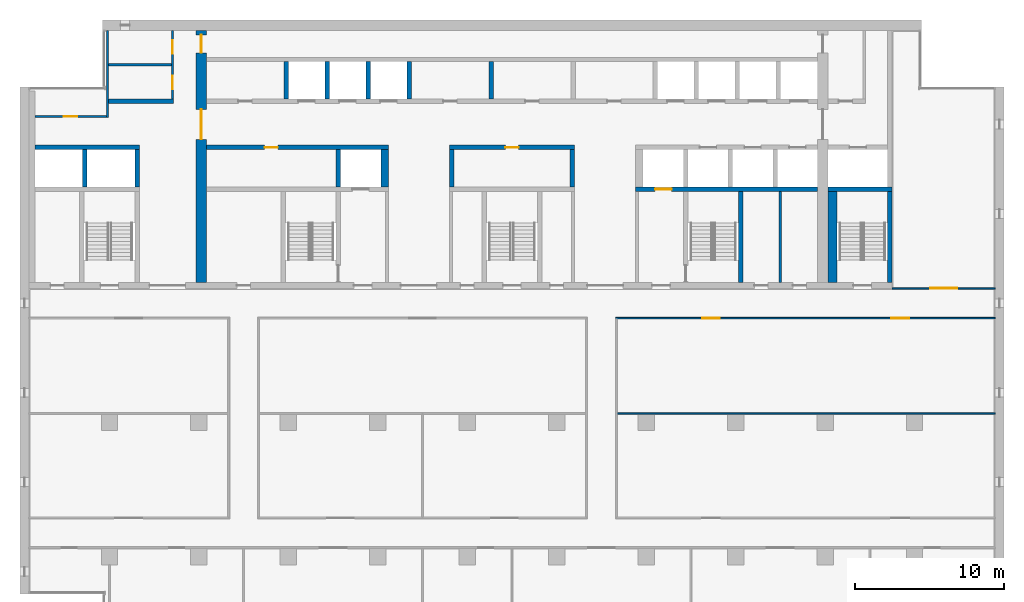
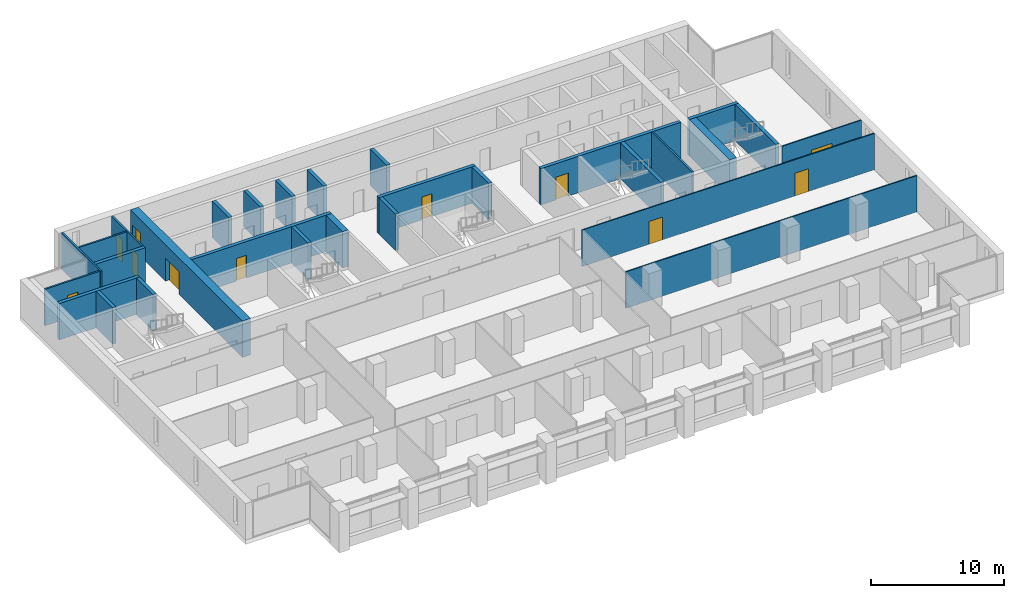
# One storey, part 10 of 17: 29 walls, 11 doors, 11 openings.
"""IFC4 building model written with IfcOpenShell, lengths in metres."""

from ifc_helpers import new_model, si_unit, direction, frame, frame_2d, origin, place, context, subcontext, project, spatial, rectangle, extrude, material, layer, layer_set, type_object, element, fill, save


model = new_model("IFC4")

# Units and contexts
model_context = context("Model", 3, precision=1e-05, world=origin(), true_north=direction((0.0, 1.0)))
body_context = subcontext(model_context, "Body", "Model", "MODEL_VIEW")
ifc_project = project(units=[si_unit("LENGTHUNIT", "METRE"), si_unit("AREAUNIT", "SQUARE_METRE"), si_unit("VOLUMEUNIT", "CUBIC_METRE"), si_unit("PLANEANGLEUNIT", "RADIAN"), si_unit("MASSUNIT", "GRAM", prefix="KILO")], contexts=[model_context])

# Site, building, storey
site_placement = place(None, origin())
site = spatial("IfcSite", under=ifc_project, at=site_placement, CompositionType="ELEMENT")
building_placement = place(site_placement, origin())
building = spatial("IfcBuilding", under=site, at=building_placement, Name="Calvaro Tower", CompositionType="ELEMENT")
storey_placement = place(building_placement, frame((0.0, 0.0, 196.75)))
storey = spatial("IfcBuildingStorey", under=building, at=storey_placement, Name="L49", CompositionType="ELEMENT", Elevation=196.75)

# Walls
ifc_material_1 = material(Name="Blockwork partition", Category="masonry")
ifc_layer_1 = layer(ifc_material_1, 0.14990234375)
ifc_layer_set_1 = layer_set([ifc_layer_1], Name="Blockwork partition")
wall_type_1 = type_object("IfcWallType", Name="Core partition 150 EI 60", PredefinedType="PARTITIONING", material=ifc_layer_set_1)
wall_1_placement = place(storey_placement, frame((57.0, 28.39990234375, 0.0), z_axis=(0.0, 0.0, 1.0), x_axis=(0.0, 1.0, 0.0)))
element("IfcWall", 1, at=wall_1_placement, inside=storey, type_object=wall_type_1, Name="Core partition", PredefinedType="PARTITIONING", context=body_context, shape_type="SweptSolid", body=[
    extrude(rectangle(XDim=6.10009765625, YDim=0.14990234375, at=frame_2d((3.050048828125, 0.0))), origin(), (0.0, 0.0, 1.0), 3.35009765625),
])
wall_2_placement = place(storey_placement, frame((11.949951171875, 43.0, 0.0), z_axis=(0.0, 0.0, 1.0), x_axis=(1.0, 0.0, 0.0)))
element("IfcWall", 2, at=wall_2_placement, inside=storey, type_object=wall_type_1, Name="Core partition", PredefinedType="PARTITIONING", context=body_context, shape_type="SweptSolid", body=[
    extrude(rectangle(XDim=4.199951171875, YDim=0.14990234375, at=frame_2d((2.10009765625, 0.0))), origin(), (0.0, 0.0, 1.0), 3.35009765625),
])

# Wall, openings, doors
ifc_material_2 = material(Name="Blockwork partition", Category="masonry")
ifc_layer_2 = layer(ifc_material_2, 0.14990234375)
ifc_layer_set_2 = layer_set([ifc_layer_2], Name="Blockwork partition")
wall_type_2 = type_object("IfcWallType", Name="Core partition 150 REI 120", PredefinedType="PARTITIONING", material=ifc_layer_set_2)
wall_3_placement = place(storey_placement, frame((16.22509765625, 45.300048828125, 0.0), z_axis=(0.0, 0.0, 1.0), x_axis=(0.0, -1.0, 0.0)))
wall_3 = element("IfcWall", 3, at=wall_3_placement, inside=storey, type_object=wall_type_2, Name="Core partition", PredefinedType="PARTITIONING", context=body_context, shape_type="SweptSolid", body=[
    extrude(rectangle(XDim=4.60009765625, YDim=0.14990234375, at=frame_2d((2.300048828125, 0.0))), origin(), (0.0, 0.0, 1.0), 3.35009765625),
])
opening_1_placement = place(wall_3_placement, frame((3.03759765625, 0.0, 0.0)))
opening_1 = element("IfcOpeningElement", 4, at=opening_1_placement, cuts=wall_3, Name="Opening RD9", PredefinedType="OPENING", context=body_context, shape_type="SweptSolid", body=[
    extrude(rectangle(XDim=0.89990234375, YDim=2.10009765625, at=frame_2d((0.449951171875, 1.050048828125))), frame((0.0, 0.0849609375, 0.0), z_axis=(0.0, -1.0, 0.0), x_axis=(1.0, 0.0, 0.0)), (0.0, 0.0, 1.0), 0.169921875),
])
opening_2_placement = place(wall_3_placement, frame((0.66259765625, 0.0, 0.0)))
opening_2 = element("IfcOpeningElement", 5, at=opening_2_placement, cuts=wall_3, Name="Opening RD9", PredefinedType="OPENING", context=body_context, shape_type="SweptSolid", body=[
    extrude(rectangle(XDim=0.89990234375, YDim=2.10009765625, at=frame_2d((0.449951171875, 1.050048828125))), frame((0.0, 0.0849609375, 0.0), z_axis=(0.0, -1.0, 0.0), x_axis=(1.0, 0.0, 0.0)), (0.0, 0.0, 1.0), 0.169921875),
])
ifc_material_3 = material(Name="Steel door set", Category="steel")
door_type_1 = type_object("IfcDoorType", Name="Room door 900", OperationType="SINGLE_SWING_LEFT", PredefinedType="DOOR", material=ifc_material_3)
door_1_placement = place(opening_1_placement, origin())
door_1 = element("IfcDoor", 6, at=door_1_placement, inside=storey, type_object=door_type_1, Name="Room door", OperationType="SINGLE_SWING_RIGHT", OverallHeight=2.10009765625, OverallWidth=0.89990234375, PredefinedType="DOOR", context=body_context, shape_type="SweptSolid", body=[
    extrude(rectangle(XDim=0.89990234375, YDim=2.10009765625, at=frame_2d((0.449951171875, 1.050048828125))), frame((0.0, 0.02490234375, 0.0), z_axis=(0.0, -1.0, 0.0), x_axis=(1.0, 0.0, 0.0)), (0.0, 0.0, 1.0), 0.050048828125),
])
fill(opening_1, door_1)
door_2_placement = place(opening_2_placement, origin())
door_2 = element("IfcDoor", 7, at=door_2_placement, inside=storey, type_object=door_type_1, Name="Room door", OperationType="SINGLE_SWING_RIGHT", OverallHeight=2.10009765625, OverallWidth=0.89990234375, PredefinedType="DOOR", context=body_context, shape_type="SweptSolid", body=[
    extrude(rectangle(XDim=0.89990234375, YDim=2.10009765625, at=frame_2d((0.449951171875, 1.050048828125))), frame((0.0, 0.02490234375, 0.0), z_axis=(0.0, -1.0, 0.0), x_axis=(1.0, 0.0, 0.0)), (0.0, 0.0, 1.0), 0.050048828125),
])
fill(opening_2, door_2)

# Wall
wall_4_placement = place(storey_placement, frame((11.875, 39.449951171875, 0.0), z_axis=(0.0, 0.0, 1.0), x_axis=(0.0, 1.0, 0.0)))
element("IfcWall", 8, at=wall_4_placement, inside=storey, type_object=wall_type_2, Name="Core partition", PredefinedType="PARTITIONING", context=body_context, shape_type="SweptSolid", body=[
    extrude(rectangle(XDim=5.85009765625, YDim=0.14990234375, at=frame_2d((2.925048828125, 0.0))), origin(), (0.0, 0.0, 1.0), 3.35009765625),
])

# Wall, opening, door
wall_5_placement = place(storey_placement, frame((7.0, 39.52490234375, 0.0), z_axis=(0.0, 0.0, 1.0), x_axis=(1.0, 0.0, 0.0)))
wall_5 = element("IfcWall", 9, at=wall_5_placement, inside=storey, type_object=wall_type_2, Name="Core partition", PredefinedType="PARTITIONING", context=body_context, shape_type="SweptSolid", body=[
    extrude(rectangle(XDim=4.800048828125, YDim=0.14990234375, at=frame_2d((2.39990234375, 0.0))), origin(), (0.0, 0.0, 1.0), 3.35009765625),
])
opening_3_placement = place(wall_5_placement, frame((1.949951171875, 0.0, 0.0)))
opening_3 = element("IfcOpeningElement", 10, at=opening_3_placement, cuts=wall_5, Name="Opening RD9", PredefinedType="OPENING", context=body_context, shape_type="SweptSolid", body=[
    extrude(rectangle(XDim=0.89990234375, YDim=2.10009765625, at=frame_2d((0.449951171875, 1.050048828125))), frame((0.0, 0.0849609375, 0.0), z_axis=(0.0, -1.0, 0.0), x_axis=(1.0, 0.0, 0.0)), (0.0, 0.0, 1.0), 0.169921875),
])
door_3_placement = place(opening_3_placement, origin())
door_3 = element("IfcDoor", 11, at=door_3_placement, inside=storey, type_object=door_type_1, Name="Room door", OperationType="SINGLE_SWING_LEFT", OverallHeight=2.10009765625, OverallWidth=0.89990234375, PredefinedType="DOOR", context=body_context, shape_type="SweptSolid", body=[
    extrude(rectangle(XDim=0.89990234375, YDim=2.10009765625, at=frame_2d((0.449951171875, 1.050048828125))), frame((0.0, 0.02490234375, 0.0), z_axis=(0.0, -1.0, 0.0), x_axis=(1.0, 0.0, 0.0)), (0.0, 0.0, 1.0), 0.050048828125),
])
fill(opening_3, door_3)

# Walls
ifc_material_4 = material(Name="Blockwork partition", Category="masonry")
ifc_layer_3 = layer(ifc_material_4, 0.300048828125)
ifc_layer_set_3 = layer_set([ifc_layer_3], Name="Blockwork partition")
wall_type_3 = type_object("IfcWallType", Name="Core partition 300 EI 60", PredefinedType="PARTITIONING", material=ifc_layer_set_3)
wall_6_placement = place(storey_placement, frame((37.60009765625, 40.699951171875, 0.0), z_axis=(0.0, 0.0, 1.0), x_axis=(0.0, 1.0, 0.0)))
element("IfcWall", 12, at=wall_6_placement, inside=storey, type_object=wall_type_3, Name="Core partition", PredefinedType="PARTITIONING", context=body_context, shape_type="SweptSolid", body=[
    extrude(rectangle(XDim=2.5, YDim=0.300048828125, at=frame_2d((1.25, 0.0))), origin(), (0.0, 0.0, 1.0), 3.35009765625),
])
ifc_material_5 = material(Name="Blockwork partition", Category="masonry")
ifc_layer_4 = layer(ifc_material_5, 0.300048828125)
ifc_layer_set_4 = layer_set([ifc_layer_4], Name="Blockwork partition")
wall_type_4 = type_object("IfcWallType", Name="Core partition 300 REI 120", PredefinedType="PARTITIONING", material=ifc_layer_set_4)
wall_7_placement = place(storey_placement, frame((11.949951171875, 40.550048828125, 0.0), z_axis=(0.0, 0.0, 1.0), x_axis=(1.0, 0.0, 0.0)))
element("IfcWall", 13, at=wall_7_placement, inside=storey, type_object=wall_type_4, Name="Core partition", PredefinedType="PARTITIONING", context=body_context, shape_type="SweptSolid", body=[
    extrude(rectangle(XDim=4.35009765625, YDim=0.300048828125, at=frame_2d((2.175048828125, 0.0))), origin(), (0.0, 0.0, 1.0), 3.35009765625),
])
ifc_material_6 = material(Name="Concrete C50/60", Category="concrete")
ifc_layer_5 = layer(ifc_material_6, 0.300048828125)
ifc_layer_set_5 = layer_set([ifc_layer_5], Name="Concrete C50/60")
wall_type_5 = type_object("IfcWallType", Name="Core wall C50/60 300", PredefinedType="SHEAR", material=ifc_layer_set_5)
for number, where, z_axis, x_axis, name in (
    (14, (54.35009765625, 28.39990234375, 0.0), (0.0, 0.0, 1.0), (0.0, 1.0, 0.0), "Core wall, stair enclosure"),
    (15, (64.35009765625, 28.39990234375, 0.0), (0.0, 0.0, 1.0), (0.0, 1.0, 0.0), "Core wall, stair enclosure"),
):
    element("IfcWall", number, at=place(storey_placement, frame(where, z_axis=z_axis, x_axis=x_axis)), inside=storey, type_object=wall_type_5, Name=name, PredefinedType="SHEAR", context=body_context, shape_type="SweptSolid", body=[
        extrude(rectangle(XDim=6.10009765625, YDim=0.300048828125, at=frame_2d((3.050048828125, 0.0))), origin(), (0.0, 0.0, 1.0), 3.35009765625),
    ])

# Wall, opening, door
wall_8_placement = place(storey_placement, frame((47.300048828125, 34.64990234375, 0.0), z_axis=(0.0, 0.0, 1.0), x_axis=(1.0, 0.0, 0.0)))
wall_8 = element("IfcWall", 16, at=wall_8_placement, inside=storey, type_object=wall_type_5, Name="Core wall, lift shaft", PredefinedType="SHEAR", context=body_context, shape_type="SweptSolid", body=[
    extrude(rectangle(XDim=12.199951171875, YDim=0.300048828125, at=frame_2d((6.10009765625, 0.0))), origin(), (0.0, 0.0, 1.0), 3.35009765625),
])
opening_4_placement = place(wall_8_placement, frame((1.300048828125, 0.0, 0.0)))
opening_4 = element("IfcOpeningElement", 17, at=opening_4_placement, cuts=wall_8, Name="Opening FF2", PredefinedType="OPENING", context=body_context, shape_type="SweptSolid", body=[
    extrude(rectangle(XDim=1.10009765625, YDim=2.10009765625, at=frame_2d((0.550048828125, 1.050048828125))), frame((0.0, 0.159912109375, 0.0), z_axis=(0.0, -1.0, 0.0), x_axis=(1.0, 0.0, 0.0)), (0.0, 0.0, 1.0), 0.320068359375),
])
ifc_material_7 = material(Name="Stainless steel", Category="steel")
door_type_2 = type_object("IfcDoorType", Name="Landing door 1100 E 60", OperationType="SLIDING_TO_LEFT", PredefinedType="DOOR", material=ifc_material_7)
door_4_placement = place(opening_4_placement, origin())
door_4 = element("IfcDoor", 18, at=door_4_placement, inside=storey, type_object=door_type_2, Name="Landing door FF2", OperationType="SLIDING_TO_LEFT", OverallHeight=2.10009765625, OverallWidth=1.10009765625, PredefinedType="DOOR", context=body_context, shape_type="SweptSolid", body=[
    extrude(rectangle(XDim=1.10009765625, YDim=2.10009765625, at=frame_2d((0.550048828125, 1.050048828125))), frame((0.0, 0.02490234375, 0.0), z_axis=(0.0, -1.0, 0.0), x_axis=(1.0, 0.0, 0.0)), (0.0, 0.0, 1.0), 0.050048828125),
])
fill(opening_4, door_4)

# Walls
wall_9_placement = place(storey_placement, frame((60.199951171875, 34.64990234375, 0.0), z_axis=(0.0, 0.0, 1.0), x_axis=(1.0, 0.0, 0.0)))
element("IfcWall", 19, at=wall_9_placement, inside=storey, type_object=wall_type_5, Name="Core wall, lift shaft", PredefinedType="SHEAR", context=body_context, shape_type="SweptSolid", body=[
    extrude(rectangle(XDim=4.300048828125, YDim=0.300048828125, at=frame_2d((2.14990234375, 0.0))), origin(), (0.0, 0.0, 1.0), 3.35009765625),
])
wall_10_placement = place(storey_placement, frame((7.0, 37.449951171875, 0.0), z_axis=(0.0, 0.0, 1.0), x_axis=(1.0, 0.0, 0.0)))
element("IfcWall", 20, at=wall_10_placement, inside=storey, type_object=wall_type_5, Name="Core wall, lift shaft", PredefinedType="SHEAR", context=body_context, shape_type="SweptSolid", body=[
    extrude(rectangle(XDim=7.0, YDim=0.300048828125, at=frame_2d((3.5, 0.0))), origin(), (0.0, 0.0, 1.0), 3.35009765625),
])

# Wall, opening, door
wall_11_placement = place(storey_placement, frame((30.699951171875, 37.449951171875, 0.0), z_axis=(0.0, 0.0, 1.0), x_axis=(-1.0, 0.0, 0.0)))
wall_11 = element("IfcWall", 21, at=wall_11_placement, inside=storey, type_object=wall_type_5, Name="Core wall, bay", PredefinedType="SHEAR", context=body_context, shape_type="SweptSolid", body=[
    extrude(rectangle(XDim=12.199951171875, YDim=0.300048828125, at=frame_2d((6.10009765625, 0.0))), origin(), (0.0, 0.0, 1.0), 3.35009765625),
])
opening_5_placement = place(wall_11_placement, frame((7.39990234375, 0.0, 0.0)))
opening_5 = element("IfcOpeningElement", 22, at=opening_5_placement, cuts=wall_11, Name="Opening RD9E", PredefinedType="OPENING", context=body_context, shape_type="SweptSolid", body=[
    extrude(rectangle(XDim=0.89990234375, YDim=2.10009765625, at=frame_2d((0.449951171875, 1.050048828125))), frame((0.0, 0.159912109375, 0.0), z_axis=(0.0, -1.0, 0.0), x_axis=(1.0, 0.0, 0.0)), (0.0, 0.0, 1.0), 0.320068359375),
])
ifc_material_8 = material(Name="Steel door set", Category="steel")
door_type_3 = type_object("IfcDoorType", Name="Room door 900 FD60", OperationType="SINGLE_SWING_LEFT", PredefinedType="DOOR", material=ifc_material_8)
door_5_placement = place(opening_5_placement, origin())
door_5 = element("IfcDoor", 23, at=door_5_placement, inside=storey, type_object=door_type_3, Name="Room door", OperationType="SINGLE_SWING_LEFT", OverallHeight=2.10009765625, OverallWidth=0.89990234375, PredefinedType="DOOR", context=body_context, shape_type="SweptSolid", body=[
    extrude(rectangle(XDim=0.89990234375, YDim=2.10009765625, at=frame_2d((0.449951171875, 1.050048828125))), frame((0.0, 0.02490234375, 0.0), z_axis=(0.0, -1.0, 0.0), x_axis=(1.0, 0.0, 0.0)), (0.0, 0.0, 1.0), 0.050048828125),
])
fill(opening_5, door_5)

wall_12_placement = place(storey_placement, frame((43.199951171875, 37.449951171875, 0.0), z_axis=(0.0, 0.0, 1.0), x_axis=(-1.0, 0.0, 0.0)))
wall_12 = element("IfcWall", 24, at=wall_12_placement, inside=storey, type_object=wall_type_5, Name="Core wall, bay", PredefinedType="SHEAR", context=body_context, shape_type="SweptSolid", body=[
    extrude(rectangle(XDim=8.39990234375, YDim=0.300048828125, at=frame_2d((4.199951171875, 0.0))), origin(), (0.0, 0.0, 1.0), 3.35009765625),
])
opening_6_placement = place(wall_12_placement, frame((3.75, 0.0, 0.0)))
opening_6 = element("IfcOpeningElement", 25, at=opening_6_placement, cuts=wall_12, Name="Opening RD9E", PredefinedType="OPENING", context=body_context, shape_type="SweptSolid", body=[
    extrude(rectangle(XDim=0.89990234375, YDim=2.10009765625, at=frame_2d((0.449951171875, 1.050048828125))), frame((0.0, 0.159912109375, 0.0), z_axis=(0.0, -1.0, 0.0), x_axis=(1.0, 0.0, 0.0)), (0.0, 0.0, 1.0), 0.320068359375),
])
door_6_placement = place(opening_6_placement, origin())
door_6 = element("IfcDoor", 26, at=door_6_placement, inside=storey, type_object=door_type_3, Name="Room door", OperationType="SINGLE_SWING_RIGHT", OverallHeight=2.10009765625, OverallWidth=0.89990234375, PredefinedType="DOOR", context=body_context, shape_type="SweptSolid", body=[
    extrude(rectangle(XDim=0.89990234375, YDim=2.10009765625, at=frame_2d((0.449951171875, 1.050048828125))), frame((0.0, 0.02490234375, 0.0), z_axis=(0.0, -1.0, 0.0), x_axis=(1.0, 0.0, 0.0)), (0.0, 0.0, 1.0), 0.050048828125),
])
fill(opening_6, door_6)

# Walls
for number, where, z_axis, x_axis, name in (
    (27, (27.35009765625, 34.800048828125, 0.0), (0.0, 0.0, 1.0), (0.0, 1.0, 0.0), "Core wall, lift shaft"),
    (28, (34.949951171875, 34.800048828125, 0.0), (0.0, 0.0, 1.0), (0.0, 1.0, 0.0), "Core wall, lift shaft"),
    (29, (43.050048828125, 34.800048828125, 0.0), (0.0, 0.0, 1.0), (0.0, 1.0, 0.0), "Core wall, lift shaft"),
    (30, (13.85009765625, 34.800048828125, 0.0), (0.0, 0.0, 1.0), (0.0, 1.0, 0.0), "Core wall, lift shaft"),
    (31, (23.85009765625, 40.699951171875, 0.0), (0.0, 0.0, 1.0), (0.0, 1.0, 0.0), "Core wall, lift shaft"),
    (32, (26.60009765625, 40.699951171875, 0.0), (0.0, 0.0, 1.0), (0.0, 1.0, 0.0), "Core wall, lift shaft"),
    (33, (29.35009765625, 40.699951171875, 0.0), (0.0, 0.0, 1.0), (0.0, 1.0, 0.0), "Core wall, lift shaft"),
    (34, (32.10009765625, 40.699951171875, 0.0), (0.0, 0.0, 1.0), (0.0, 1.0, 0.0), "Core wall, lift shaft"),
    (35, (10.35009765625, 34.800048828125, 0.0), (0.0, 0.0, 1.0), (0.0, 1.0, 0.0), "Core wall, lift shaft"),
):
    element("IfcWall", number, at=place(storey_placement, frame(where, z_axis=z_axis, x_axis=x_axis)), inside=storey, type_object=wall_type_5, Name=name, PredefinedType="SHEAR", context=body_context, shape_type="SweptSolid", body=[
        extrude(rectangle(XDim=2.5, YDim=0.300048828125, at=frame_2d((1.25, 0.0))), origin(), (0.0, 0.0, 1.0), 3.35009765625),
    ])
ifc_material_9 = material(Name="Concrete C50/60", Category="concrete")
ifc_layer_6 = layer(ifc_material_9, 0.5)
ifc_layer_set_6 = layer_set([ifc_layer_6], Name="Concrete C50/60")
wall_type_6 = type_object("IfcWallType", Name="Core wall C50/60 500", PredefinedType="SHEAR", material=ifc_layer_set_6)
wall_13_placement = place(storey_placement, frame((30.449951171875, 34.800048828125, 0.0), z_axis=(0.0, 0.0, 1.0), x_axis=(0.0, 1.0, 0.0)))
element("IfcWall", 36, at=wall_13_placement, inside=storey, type_object=wall_type_6, Name="Core wall, lift shaft", PredefinedType="SHEAR", context=body_context, shape_type="SweptSolid", body=[
    extrude(rectangle(XDim=2.5, YDim=0.5, at=frame_2d((1.25, 0.0))), origin(), (0.0, 0.0, 1.0), 3.35009765625),
])
ifc_material_10 = material(Name="Concrete C50/60", Category="concrete")
ifc_layer_7 = layer(ifc_material_10, 0.60009765625)
ifc_layer_set_7 = layer_set([ifc_layer_7], Name="Concrete C50/60")
wall_type_7 = type_object("IfcWallType", Name="Core wall C50/60 600", PredefinedType="SHEAR", material=ifc_layer_set_7)
wall_14_placement = place(storey_placement, frame((60.5, 28.39990234375, 0.0), z_axis=(0.0, 0.0, 1.0), x_axis=(0.0, 1.0, 0.0)))
element("IfcWall", 37, at=wall_14_placement, inside=storey, type_object=wall_type_7, Name="Core wall, stair enclosure", PredefinedType="SHEAR", context=body_context, shape_type="SweptSolid", body=[
    extrude(rectangle(XDim=6.10009765625, YDim=0.60009765625, at=frame_2d((3.050048828125, 0.0))), origin(), (0.0, 0.0, 1.0), 3.35009765625),
])

# Wall, openings, doors
ifc_material_11 = material(Name="Concrete C50/60", Category="concrete")
ifc_layer_8 = layer(ifc_material_11, 0.699951171875)
ifc_layer_set_8 = layer_set([ifc_layer_8], Name="Concrete C50/60")
wall_type_8 = type_object("IfcWallType", Name="Core wall C50/60 700", PredefinedType="SHEAR", material=ifc_layer_set_8)
wall_15_placement = place(storey_placement, frame((18.14990234375, 28.39990234375, 0.0), z_axis=(0.0, 0.0, 1.0), x_axis=(0.0, 1.0, 0.0)))
wall_15 = element("IfcWall", 38, at=wall_15_placement, inside=storey, type_object=wall_type_8, Name="Core wall, cross shear wall", PredefinedType="SHEAR", context=body_context, shape_type="SweptSolid", body=[
    extrude(rectangle(XDim=16.900146484375, YDim=0.699951171875, at=frame_2d((8.4501953125, 0.0))), origin(), (0.0, 0.0, 1.0), 3.35009765625),
])
opening_7_placement = place(wall_15_placement, frame((9.60009765625, 0.0, 0.0)))
opening_7 = element("IfcOpeningElement", 39, at=opening_7_placement, cuts=wall_15, Name="Opening DD20D", PredefinedType="OPENING", context=body_context, shape_type="SweptSolid", body=[
    extrude(rectangle(XDim=2.0, YDim=2.10009765625, at=frame_2d((1.0, 1.050048828125))), frame((0.0, 0.35986328125, 0.0), z_axis=(0.0, -1.0, 0.0), x_axis=(1.0, 0.0, 0.0)), (0.0, 0.0, 1.0), 0.719970703125),
])
opening_8_placement = place(wall_15_placement, frame((15.39990234375, 0.0, 0.0)))
opening_8 = element("IfcOpeningElement", 40, at=opening_8_placement, cuts=wall_15, Name="Opening FD12C", PredefinedType="OPENING", context=body_context, shape_type="SweptSolid", body=[
    extrude(rectangle(XDim=1.199951171875, YDim=2.10009765625, at=frame_2d((0.60009765625, 1.050048828125))), frame((0.0, 0.35986328125, 0.0), z_axis=(0.0, -1.0, 0.0), x_axis=(1.0, 0.0, 0.0)), (0.0, 0.0, 1.0), 0.719970703125),
])
ifc_material_12 = material(Name="Steel door set", Category="steel")
door_type_4 = type_object("IfcDoorType", Name="Fire door 1200 FD30", OperationType="SINGLE_SWING_LEFT", PredefinedType="DOOR", material=ifc_material_12)
door_7_placement = place(opening_8_placement, origin())
door_7 = element("IfcDoor", 41, at=door_7_placement, inside=storey, type_object=door_type_4, Name="Fire door", OperationType="SINGLE_SWING_LEFT", OverallHeight=2.10009765625, OverallWidth=1.199951171875, PredefinedType="DOOR", context=body_context, shape_type="SweptSolid", body=[
    extrude(rectangle(XDim=1.199951171875, YDim=2.10009765625, at=frame_2d((0.60009765625, 1.050048828125))), frame((0.0, 0.02490234375, 0.0), z_axis=(0.0, -1.0, 0.0), x_axis=(1.0, 0.0, 0.0)), (0.0, 0.0, 1.0), 0.050048828125),
])
fill(opening_8, door_7)
ifc_material_13 = material(Name="Steel door set", Category="steel")
door_type_5 = type_object("IfcDoorType", Name="Lobby double door 2000 FD30S", OperationType="DOUBLE_DOOR_SINGLE_SWING", PredefinedType="DOOR", material=ifc_material_13)
door_8_placement = place(opening_7_placement, origin())
door_8 = element("IfcDoor", 42, at=door_8_placement, inside=storey, type_object=door_type_5, Name="Lobby double door", OperationType="DOUBLE_DOOR_SINGLE_SWING", OverallHeight=2.10009765625, OverallWidth=2.0, PredefinedType="DOOR", context=body_context, shape_type="SweptSolid", body=[
    extrude(rectangle(XDim=2.0, YDim=2.10009765625, at=frame_2d((1.0, 1.050048828125))), frame((0.0, 0.02490234375, 0.0), z_axis=(0.0, -1.0, 0.0), x_axis=(1.0, 0.0, 0.0)), (0.0, 0.0, 1.0), 0.050048828125),
])
fill(opening_7, door_8)

# Wall
ifc_material_14 = material(Name="Plasterboard on steel studs", Category="steel")
ifc_layer_9 = layer(ifc_material_14, 0.10009765625)
ifc_layer_set_9 = layer_set([ifc_layer_9], Name="Plasterboard on steel studs")
wall_type_9 = type_object("IfcWallType", Name="Partition 100", PredefinedType="PARTITIONING", material=ifc_layer_set_9)
wall_16_placement = place(storey_placement, frame((46.050048828125, 19.60009765625, 0.0), z_axis=(0.0, 0.0, 1.0), x_axis=(1.0, 0.0, 0.0)))
element("IfcWall", 43, at=wall_16_placement, inside=storey, type_object=wall_type_9, Name="Partition T28.W007", PredefinedType="PARTITIONING", context=body_context, shape_type="SweptSolid", body=[
    extrude(rectangle(XDim=25.349853515625, YDim=0.10009765625, at=frame_2d((12.6748046875, 0.0))), origin(), (0.0, 0.0, 1.0), 3.35009765625),
])

# Wall, openings, doors
wall_17_placement = place(storey_placement, frame((45.949951171875, 26.0, 0.0), z_axis=(0.0, 0.0, 1.0), x_axis=(1.0, 0.0, 0.0)))
wall_17 = element("IfcWall", 44, at=wall_17_placement, inside=storey, type_object=wall_type_9, Name="Partition T28.W010", PredefinedType="PARTITIONING", context=body_context, shape_type="SweptSolid", body=[
    extrude(rectangle(XDim=25.449951171875, YDim=0.10009765625, at=frame_2d((12.72509765625, 0.0))), origin(), (0.0, 0.0, 1.0), 3.35009765625),
])
opening_9_placement = place(wall_17_placement, frame((5.800048828125, 0.0, 0.0)))
opening_9 = element("IfcOpeningElement", 45, at=opening_9_placement, cuts=wall_17, Name="Opening T28.015", PredefinedType="OPENING", context=body_context, shape_type="SweptSolid", body=[
    extrude(rectangle(XDim=1.199951171875, YDim=2.10009765625, at=frame_2d((0.60009765625, 1.050048828125))), frame((0.0, 0.06005859375, 0.0), z_axis=(0.0, -1.0, 0.0), x_axis=(1.0, 0.0, 0.0)), (0.0, 0.0, 1.0), 0.1201171875),
])
opening_10_placement = place(wall_17_placement, frame((18.5, 0.0, 0.0)))
opening_10 = element("IfcOpeningElement", 46, at=opening_10_placement, cuts=wall_17, Name="Opening T28.016", PredefinedType="OPENING", context=body_context, shape_type="SweptSolid", body=[
    extrude(rectangle(XDim=1.199951171875, YDim=2.10009765625, at=frame_2d((0.60009765625, 1.050048828125))), frame((0.0, 0.06005859375, 0.0), z_axis=(0.0, -1.0, 0.0), x_axis=(1.0, 0.0, 0.0)), (0.0, 0.0, 1.0), 0.1201171875),
])
ifc_material_15 = material(Name="Timber", Category="wood")
door_type_6 = type_object("IfcDoorType", Name="Internal single door 1200 x 2100", OperationType="SINGLE_SWING_LEFT", PredefinedType="DOOR", material=ifc_material_15)
door_9_placement = place(opening_9_placement, origin())
door_9 = element("IfcDoor", 47, at=door_9_placement, inside=storey, type_object=door_type_6, Name="Door T28.015", OperationType="SINGLE_SWING_LEFT", OverallHeight=2.10009765625, OverallWidth=1.199951171875, PredefinedType="DOOR", context=body_context, shape_type="SweptSolid", body=[
    extrude(rectangle(XDim=1.199951171875, YDim=2.10009765625, at=frame_2d((0.60009765625, 1.050048828125))), frame((0.0, 0.02490234375, 0.0), z_axis=(0.0, -1.0, 0.0), x_axis=(1.0, 0.0, 0.0)), (0.0, 0.0, 1.0), 0.050048828125),
])
fill(opening_9, door_9)
door_10_placement = place(opening_10_placement, origin())
door_10 = element("IfcDoor", 48, at=door_10_placement, inside=storey, type_object=door_type_6, Name="Door T28.016", OperationType="SINGLE_SWING_RIGHT", OverallHeight=2.10009765625, OverallWidth=1.199951171875, PredefinedType="DOOR", context=body_context, shape_type="SweptSolid", body=[
    extrude(rectangle(XDim=1.199951171875, YDim=2.10009765625, at=frame_2d((0.60009765625, 1.050048828125))), frame((0.0, 0.02490234375, 0.0), z_axis=(0.0, -1.0, 0.0), x_axis=(1.0, 0.0, 0.0)), (0.0, 0.0, 1.0), 0.050048828125),
])
fill(opening_10, door_10)

# Wall, opening, door
wall_18_placement = place(storey_placement, frame((64.5, 28.0, 0.0), z_axis=(0.0, 0.0, 1.0), x_axis=(1.0, 0.0, 0.0)))
wall_18 = element("IfcWall", 49, at=wall_18_placement, inside=storey, type_object=wall_type_9, Name="Partition T28.W011", PredefinedType="PARTITIONING", context=body_context, shape_type="SweptSolid", body=[
    extrude(rectangle(XDim=6.89990234375, YDim=0.10009765625, at=frame_2d((3.449951171875, 0.0))), origin(), (0.0, 0.0, 1.0), 3.35009765625),
])
opening_11_placement = place(wall_18_placement, frame((2.550048828125, 0.0, 0.0)))
opening_11 = element("IfcOpeningElement", 50, at=opening_11_placement, cuts=wall_18, Name="Opening T28.017", PredefinedType="OPENING", context=body_context, shape_type="SweptSolid", body=[
    extrude(rectangle(XDim=1.800048828125, YDim=2.10009765625, at=frame_2d((0.89990234375, 1.050048828125))), frame((0.0, 0.06005859375, 0.0), z_axis=(0.0, -1.0, 0.0), x_axis=(1.0, 0.0, 0.0)), (0.0, 0.0, 1.0), 0.1201171875),
])
ifc_material_16 = material(Name="Timber", Category="wood")
door_type_7 = type_object("IfcDoorType", Name="Internal double door 1800 x 2100", OperationType="DOUBLE_DOOR_SINGLE_SWING", PredefinedType="DOOR", material=ifc_material_16)
door_11_placement = place(opening_11_placement, origin())
door_11 = element("IfcDoor", 51, at=door_11_placement, inside=storey, type_object=door_type_7, Name="Door T28.017", OperationType="DOUBLE_DOOR_SINGLE_SWING", OverallHeight=2.10009765625, OverallWidth=1.800048828125, PredefinedType="DOOR", context=body_context, shape_type="SweptSolid", body=[
    extrude(rectangle(XDim=1.800048828125, YDim=2.10009765625, at=frame_2d((0.89990234375, 1.050048828125))), frame((0.0, 0.02490234375, 0.0), z_axis=(0.0, -1.0, 0.0), x_axis=(1.0, 0.0, 0.0)), (0.0, 0.0, 1.0), 0.050048828125),
])
fill(opening_11, door_11)

save(model, "model.ifc")
